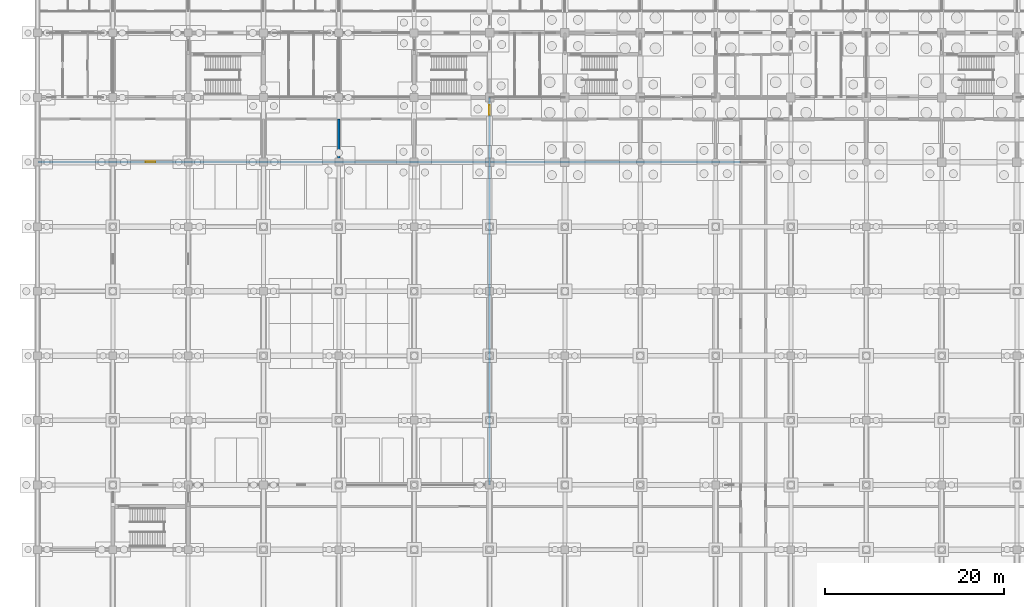
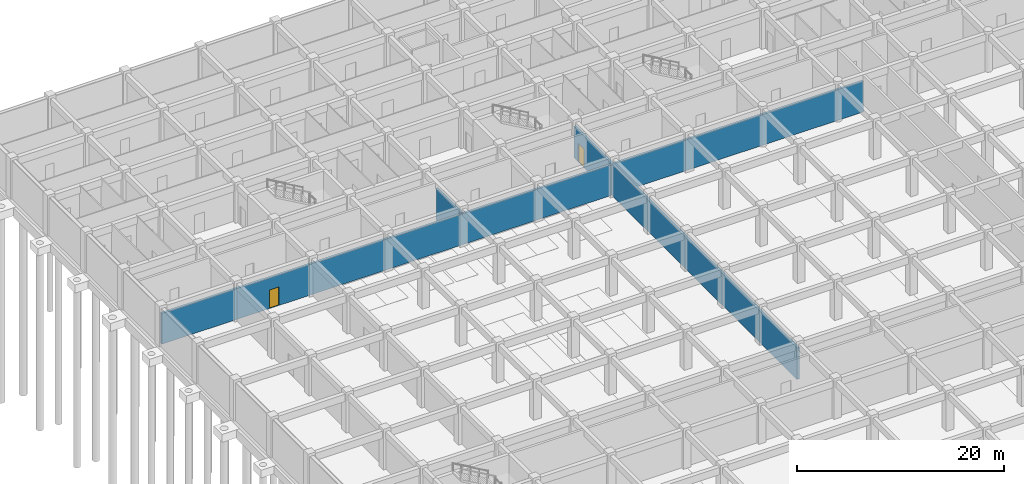
# One storey, part 32 of 85: 3 walls, 2 doors, 2 openings.
"""IFC4 building model written with IfcOpenShell, lengths in metres."""

import ifcopenshell
import ifcopenshell.guid

model = None  # the IFC model being written
_history = None  # IfcOwnerHistory: only IFC2X3 demands one
_inside = {}  # id of a spatial element -> (the spatial element, [elements in it])
_under = {}  # id of a project, library or spatial element -> (it, [spatial elements below it])
_declared = {}  # id of a project -> (the project, [libraries it declares])
_typed = {}  # id of a type object -> (the type object, [elements of that type])
_made_of = {}  # id of a material, layer set ... -> (it, [elements and type objects made of it])


def new_model(schema):
    """Start an empty IFC model of exactly this schema.

    Asked for "IFC4X3", IfcOpenShell would pick the latest addendum, in which some entities
    have other attributes; the version numbers below select the first issue.
    IFC2X3 requires an IfcOwnerHistory on every rooted entity: one is made here for all.
    """
    global model, _history
    if schema == "IFC4X3":
        model = ifcopenshell.file(schema_version=(4, 3, 0, 0))
    else:
        model = ifcopenshell.file(schema=schema)
    _inside.clear()
    _under.clear()
    _declared.clear()
    _typed.clear()
    _made_of.clear()
    _history = None
    if model.schema == "IFC2X3":
        org = make("IfcOrganization", Name="unknown")
        user = make(
            "IfcPersonAndOrganization",
            ThePerson=make("IfcPerson", FamilyName="unknown"),
            TheOrganization=org,
        )
        app = make(
            "IfcApplication",
            ApplicationDeveloper=org,
            Version="unknown",
            ApplicationFullName="unknown",
            ApplicationIdentifier="unknown",
        )
        _history = make(
            "IfcOwnerHistory",
            OwningUser=user,
            OwningApplication=app,
            ChangeAction="ADDED",
            CreationDate=0,
        )
    return model


def make(cls, **values):
    """One entity of the class cls with the attributes given. An attribute that is None is left unset."""
    return model.create_entity(
        cls, **{name: value for name, value in values.items() if value is not None}
    )


def rooted(cls, **values):
    """An entity with a GlobalId (a new one), such as an element, a storey or a relation."""
    return make(cls, GlobalId=ifcopenshell.guid.new(), OwnerHistory=_history, **values)


def si_unit(unit_type, name, prefix=None):
    """IfcSIUnit, for example si_unit("LENGTHUNIT", "METRE", prefix="MILLI")."""
    return make("IfcSIUnit", UnitType=unit_type, Prefix=prefix, Name=name)


def assignment(units):
    """IfcUnitAssignment: the units of a project."""
    return None if units is None else make("IfcUnitAssignment", Units=units)


def point(xyz):
    """IfcCartesianPoint."""
    return None if xyz is None else make("IfcCartesianPoint", Coordinates=xyz)


def direction(xyz):
    """IfcDirection."""
    return None if xyz is None else make("IfcDirection", DirectionRatios=xyz)


def frame(location, z_axis=None, x_axis=None):
    """IfcAxis2Placement3D, a coordinate frame: its origin and axes. An axis left out is left unset."""
    return make(
        "IfcAxis2Placement3D",
        Location=point(location),
        Axis=direction(z_axis),
        RefDirection=direction(x_axis),
    )


def frame_2d(location, x_axis=None):
    """IfcAxis2Placement2D, a coordinate frame in the plane: its origin and x axis."""
    return make(
        "IfcAxis2Placement2D", Location=point(location), RefDirection=direction(x_axis)
    )


def origin():
    """The frame at (0, 0, 0) with its axes left unset."""
    return frame((0.0, 0.0, 0.0))


def place(relative_to, where):
    """IfcLocalPlacement: puts the frame where relative to a parent placement (None: the world)."""
    return make(
        "IfcLocalPlacement", PlacementRelTo=relative_to, RelativePlacement=where
    )


def context(
    kind, dimensions, precision=None, world=None, true_north=None, identifier=None
):
    """IfcGeometricRepresentationContext, for example the 3D "Model" context."""
    return make(
        "IfcGeometricRepresentationContext",
        ContextIdentifier=identifier,
        ContextType=kind,
        CoordinateSpaceDimension=dimensions,
        Precision=precision,
        WorldCoordinateSystem=world,
        TrueNorth=true_north,
    )


def subcontext(parent, identifier, kind, view, scale=None):
    """IfcGeometricRepresentationSubContext, for example "Body" below "Model"."""
    return make(
        "IfcGeometricRepresentationSubContext",
        ContextIdentifier=identifier,
        ContextType=kind,
        ParentContext=parent,
        TargetScale=scale,
        TargetView=view,
    )


def project(units=None, contexts=None):
    """IfcProject with its units and contexts."""
    return rooted(
        "IfcProject",
        Name="project",
        RepresentationContexts=contexts,
        UnitsInContext=assignment(units),
    )


def spatial(cls, under=None, at=None, **own):
    """A site, building, storey or space (cls), placed at a placement, below another one or the project."""
    s = rooted(cls, ObjectPlacement=at, **own)
    if under is not None:
        _under.setdefault(under.id(), (under, []))[1].append(s)
    return s


def profile(cls, at=None, kind="AREA", **sizes):
    """A parametric profile (cls). Its sizes go by their IFC names, for example OverallWidth=200.0."""
    return make(cls, ProfileType=kind, Position=at, **sizes)


def rectangle(**sizes):
    """IfcRectangleProfileDef."""
    return profile("IfcRectangleProfileDef", **sizes)


def extrude(swept, where, along, depth):
    """IfcExtrudedAreaSolid: the profile swept, set in the frame where, extruded along a direction by depth."""
    return make(
        "IfcExtrudedAreaSolid",
        SweptArea=swept,
        Position=where,
        ExtrudedDirection=direction(along),
        Depth=depth,
    )


def shape(context_of_items, identifier, shape_type, items):
    """IfcShapeRepresentation: the items that make up one representation, for example the "Body"."""
    return make(
        "IfcShapeRepresentation",
        ContextOfItems=context_of_items,
        RepresentationIdentifier=identifier,
        RepresentationType=shape_type,
        Items=items,
    )


def material(Name=None, Category=None):
    """IfcMaterial."""
    return make("IfcMaterial", Name=Name, Category=Category)


def layer(
    of_material, thickness, ventilated=None, Name=None, Category=None, Priority=None
):
    """IfcMaterialLayer: one layer of a wall or slab, of a material (None: an air gap)."""
    return make(
        "IfcMaterialLayer",
        Material=of_material,
        LayerThickness=thickness,
        IsVentilated=ventilated,
        Name=Name,
        Category=Category,
        Priority=Priority,
    )


def layer_set(layers, Name=None):
    """IfcMaterialLayerSet."""
    return make("IfcMaterialLayerSet", MaterialLayers=layers, LayerSetName=Name)


def made_of(thing, what):
    """Note that an element or type object is made of a material, layer set ...; save() writes the relation."""
    if what is not None:
        _made_of.setdefault(what.id(), (what, []))[1].append(thing)
    return thing


def type_object(cls, material=None, **own):
    """A type object (cls), such as IfcWallType, which elements share."""
    return made_of(rooted(cls, **own), material)


def element(
    cls,
    number,
    at=None,
    inside=None,
    cuts=None,
    type_object=None,
    material=None,
    context=None,
    identifier="Body",
    shape_type=None,
    held_by="IfcProductDefinitionShape",
    body=None,
    shapes=None,
    **own,
):
    """One element of the class cls, such as IfcWall. Its Tag is "e" and its number.

    at: its placement. inside: the storey or other place that contains it. cuts: it is an
    opening in that element (IfcRelVoidsElement). A single representation is given by context,
    identifier, shape_type and body (its items); several are given by shapes. held_by: the class
    of the entity that holds the representations. save() writes the other relations.
    """
    e = rooted(cls, Tag="e%d" % number, ObjectPlacement=at, **own)
    if body is not None:
        shapes = [shape(context, identifier, shape_type, body)]
    if shapes is not None:
        e.Representation = make(held_by, Representations=shapes)
    if inside is not None:
        _inside.setdefault(inside.id(), (inside, []))[1].append(e)
    if cuts is not None:
        rooted(
            "IfcRelVoidsElement", RelatingBuildingElement=cuts, RelatedOpeningElement=e
        )
    if type_object is not None:
        _typed.setdefault(type_object.id(), (type_object, []))[1].append(e)
    return made_of(e, material)


def fill(opening, filler):
    """IfcRelFillsElement: the door or window that sits in an opening."""
    return rooted(
        "IfcRelFillsElement",
        RelatingOpeningElement=opening,
        RelatedBuildingElement=filler,
    )


def aggregate(whole, parts):
    """IfcRelAggregates: a whole, such as a stair, and the parts it consists of."""
    return rooted("IfcRelAggregates", RelatingObject=whole, RelatedObjects=parts)


def save(model, path):
    """Write the relations noted so far, then the file.

    IfcRelAggregates (storeys below a building ...), IfcRelContainedInSpatialStructure (elements
    in a storey), IfcRelDefinesByType, IfcRelAssociatesMaterial and IfcRelDeclares: one each for
    every whole, place, type object, material and project.
    """
    for whole, parts in _under.values():
        aggregate(whole, parts)
    for where, things in _inside.values():
        rooted(
            "IfcRelContainedInSpatialStructure",
            RelatedElements=things,
            RelatingStructure=where,
        )
    for kind, things in _typed.values():
        rooted("IfcRelDefinesByType", RelatedObjects=things, RelatingType=kind)
    for what, things in _made_of.values():
        rooted("IfcRelAssociatesMaterial", RelatedObjects=things, RelatingMaterial=what)
    for by, libraries in _declared.values():
        rooted("IfcRelDeclares", RelatingContext=by, RelatedDefinitions=libraries)
    model.write(path)


model = new_model("IFC4")

# Units and contexts
model_context = context("Model", 3, precision=1e-05, world=origin(), true_north=direction((0.0, 1.0)))
body_context = subcontext(model_context, "Body", "Model", "MODEL_VIEW")
ifc_project = project(units=[si_unit("LENGTHUNIT", "METRE"), si_unit("AREAUNIT", "SQUARE_METRE"), si_unit("VOLUMEUNIT", "CUBIC_METRE"), si_unit("PLANEANGLEUNIT", "RADIAN"), si_unit("MASSUNIT", "GRAM", prefix="KILO")], contexts=[model_context])

# Site, building, storey
site_placement = place(None, origin())
site = spatial("IfcSite", under=ifc_project, at=site_placement, CompositionType="ELEMENT")
building_placement = place(site_placement, origin())
building = spatial("IfcBuilding", under=site, at=building_placement, Name="Chengyuan Square Courthouse", CompositionType="ELEMENT")
storey_placement = place(building_placement, frame((0.0, 0.0, -10.199951171875)))
storey = spatial("IfcBuildingStorey", under=building, at=storey_placement, Name="B02", CompositionType="ELEMENT", Elevation=-10.199951171875)

# Wall, opening, door
ifc_material_1 = material(Name="Concrete C40", Category="concrete")
ifc_layer = layer(ifc_material_1, 0.25)
ifc_layer_set = layer_set([ifc_layer], Name="Concrete C40")
wall_type = type_object("IfcWallType", Name="WL-FW1", PredefinedType="STANDARD", material=ifc_layer_set)
wall_1_placement = place(storey_placement, frame((0.0400390625, 79.199951171875, 0.0), z_axis=(0.0, 0.0, 1.0), x_axis=(1.0, 0.0, 0.0)))
wall_1 = element("IfcWall", 1, at=wall_1_placement, inside=storey, type_object=wall_type, Name="Interior Wall WL-B02-I019", PredefinedType="STANDARD", context=body_context, shape_type="SweptSolid", body=[
    extrude(rectangle(XDim=78.35986328125, YDim=0.25, at=frame_2d((39.179931640625, 0.0))), origin(), (0.0, 0.0, 1.0), 3.6298828125),
])
opening_1_placement = place(wall_1_placement, frame((12.010009765625, 0.0, 0.0)))
opening_1 = element("IfcOpeningElement", 2, at=opening_1_placement, cuts=wall_1, Name="Opening DR-313", PredefinedType="OPENING", context=body_context, shape_type="SweptSolid", body=[
    extrude(rectangle(XDim=1.10009765625, YDim=2.199951171875, at=frame_2d((0.550048828125, 1.10009765625))), frame((0.0, 0.136962890625, 0.0), z_axis=(0.0, -1.0, 0.0), x_axis=(1.0, 0.0, 0.0)), (0.0, 0.0, 1.0), 0.27392578125),
])
ifc_material_2 = material(Name="Steel Q235B Fire Door", Category="steel")
door_type = type_object("IfcDoorType", Name="DT-10", OperationType="NOTDEFINED", PredefinedType="DOOR", material=ifc_material_2)
door_1_placement = place(opening_1_placement, origin())
door_1 = element("IfcDoor", 3, at=door_1_placement, inside=storey, type_object=door_type, Name="Interior Door DR-313", OperationType="SINGLE_SWING_RIGHT", OverallHeight=2.199951171875, OverallWidth=1.10009765625, PredefinedType="DOOR", context=body_context, shape_type="SweptSolid", body=[
    extrude(rectangle(XDim=1.10009765625, YDim=2.199951171875, at=frame_2d((0.550048828125, 1.10009765625))), frame((0.0, 0.02490234375, 0.0), z_axis=(0.0, -1.0, 0.0), x_axis=(1.0, 0.0, 0.0)), (0.0, 0.0, 1.0), 0.050048828125),
])
fill(opening_1, door_1)

# Wall
wall_2_placement = place(storey_placement, frame((33.60009765625, 79.199951171875, 0.0), z_axis=(0.0, 0.0, 1.0), x_axis=(0.0, 1.0, 0.0)))
element("IfcWall", 4, at=wall_2_placement, inside=storey, type_object=wall_type, Name="Interior Wall WL-B02-I141", PredefinedType="STANDARD", context=body_context, shape_type="SweptSolid", body=[
    extrude(rectangle(XDim=4.800048828125, YDim=0.25, at=frame_2d((2.39990234375, 0.0))), origin(), (0.0, 0.0, 1.0), 3.72998046875),
])

# Wall, opening, door
wall_3_placement = place(storey_placement, frame((50.39990234375, 43.199951171875, 0.0), z_axis=(0.0, 0.0, 1.0), x_axis=(0.0, 1.0, 0.0)))
wall_3 = element("IfcWall", 5, at=wall_3_placement, inside=storey, type_object=wall_type, Name="Interior Wall WL-B02-I157", PredefinedType="STANDARD", context=body_context, shape_type="SweptSolid", body=[
    extrude(rectangle(XDim=43.199951171875, YDim=0.25, at=frame_2d((21.60009765625, 0.0))), origin(), (0.0, 0.0, 1.0), 3.72998046875),
])
opening_2_placement = place(wall_3_placement, frame((41.25244140625, 0.0, 0.0)))
opening_2 = element("IfcOpeningElement", 6, at=opening_2_placement, cuts=wall_3, Name="Opening DR-289", PredefinedType="OPENING", context=body_context, shape_type="SweptSolid", body=[
    extrude(rectangle(XDim=1.10009765625, YDim=2.199951171875, at=frame_2d((0.550048828125, 1.10009765625))), frame((0.0, 0.136962890625, 0.0), z_axis=(0.0, -1.0, 0.0), x_axis=(1.0, 0.0, 0.0)), (0.0, 0.0, 1.0), 0.27392578125),
])
door_2_placement = place(opening_2_placement, origin())
door_2 = element("IfcDoor", 7, at=door_2_placement, inside=storey, type_object=door_type, Name="Interior Door DR-289", OperationType="SINGLE_SWING_RIGHT", OverallHeight=2.199951171875, OverallWidth=1.10009765625, PredefinedType="DOOR", context=body_context, shape_type="SweptSolid", body=[
    extrude(rectangle(XDim=1.10009765625, YDim=2.199951171875, at=frame_2d((0.550048828125, 1.10009765625))), frame((0.0, 0.02490234375, 0.0), z_axis=(0.0, -1.0, 0.0), x_axis=(1.0, 0.0, 0.0)), (0.0, 0.0, 1.0), 0.050048828125),
])
fill(opening_2, door_2)

save(model, "model.ifc")
